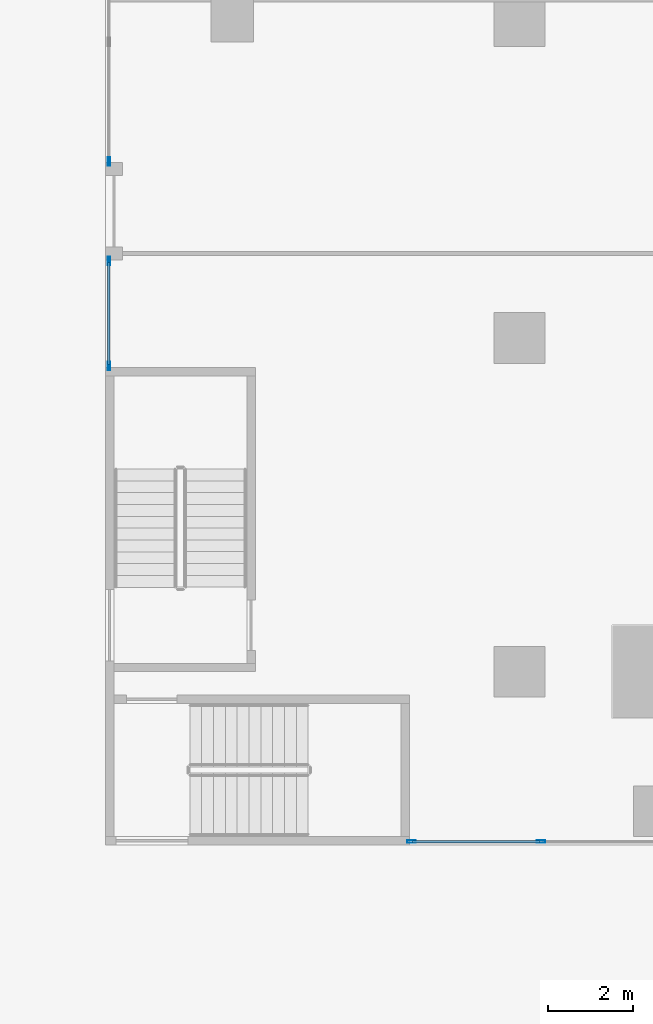
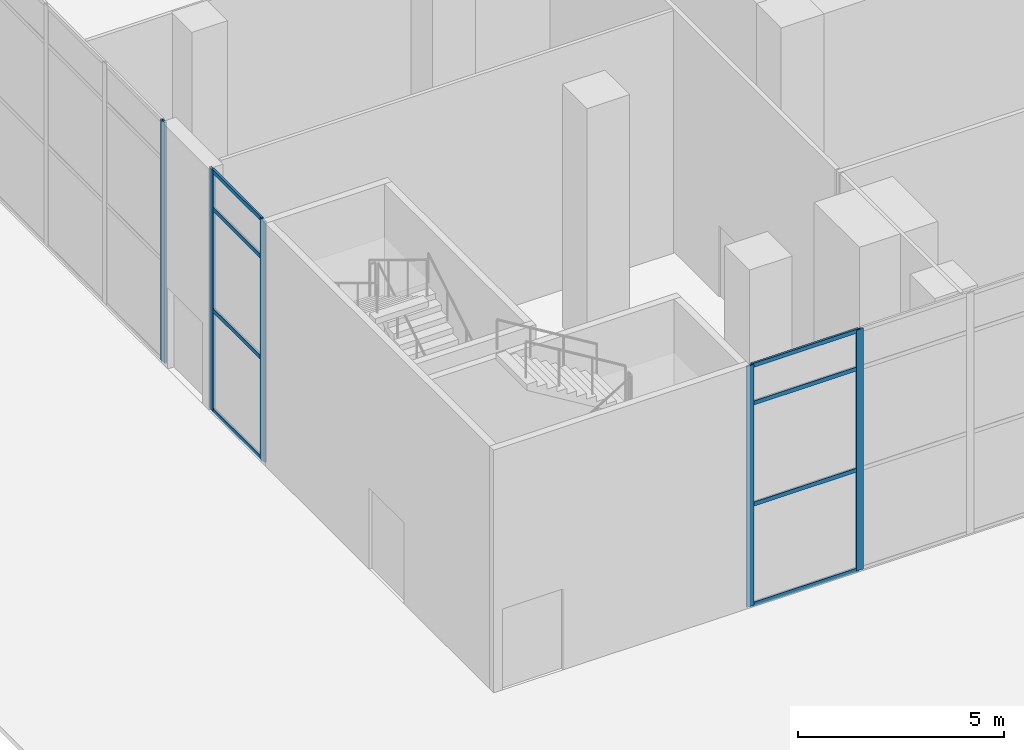
# One storey, part 2 of 52: 13 members, 3 elements without a shape of their own.
"""IFC4 building model written with IfcOpenShell, lengths in metres."""

from ifc_helpers import new_model, si_unit, direction, frame, origin, origin_2d, place, context, subcontext, project, spatial, hollow_rectangle, extrude, source, transform, mapped, material, material_profile, profile_set, type_object, element, aggregate, save


model = new_model("IFC4")

# Units and contexts
model_context = context("Model", 3, precision=1e-05, world=origin(), true_north=direction((0.0, 1.0)))
body_context = subcontext(model_context, "Body", "Model", "MODEL_VIEW")
ifc_project = project(units=[si_unit("LENGTHUNIT", "METRE"), si_unit("AREAUNIT", "SQUARE_METRE"), si_unit("VOLUMEUNIT", "CUBIC_METRE"), si_unit("PLANEANGLEUNIT", "RADIAN"), si_unit("MASSUNIT", "GRAM", prefix="KILO")], contexts=[model_context])

# Site, building, storey
site_placement = place(None, origin())
site = spatial("IfcSite", under=ifc_project, at=site_placement, CompositionType="ELEMENT")
building_placement = place(site_placement, origin())
building = spatial("IfcBuilding", under=site, at=building_placement, Name="Khomas Fold Tower", CompositionType="ELEMENT")
storey_placement = place(building_placement, origin())
storey = spatial("IfcBuildingStorey", under=building, at=storey_placement, Name="L00", CompositionType="ELEMENT", Elevation=0.0)

# Curtain wall, member
ifc_material_1 = material(Name="Aluminium framed double glazing", Category="aluminium")
curtain_wall_type = type_object("IfcCurtainWallType", Name="Shopfront glazing PD-CW", PredefinedType="NOTDEFINED", material=ifc_material_1)
curtain_wall_1_placement = place(storey_placement, origin())
curtain_wall_1 = element("IfcCurtainWall", 1, at=curtain_wall_1_placement, inside=storey, type_object=curtain_wall_type, Name="Podium shopfront run", PredefinedType="NOTDEFINED")
ifc_material_2 = material(Name="Aluminium", Category="aluminium")
ifc_material_profile_1 = material_profile(ifc_material_2, hollow_rectangle(XDim=0.06005859375, YDim=0.199951171875, WallThickness=0.00390625, at=origin_2d()), Name="Shopfront glazing mullion PD-CW-M")
ifc_profile_set_1 = profile_set([ifc_material_profile_1], Name="Aluminium")
member_type_1 = type_object("IfcMemberType", Name="Shopfront glazing mullion PD-CW-M", PredefinedType="MULLION", material=ifc_profile_set_1)
shared_shape_1 = source(origin(), body_context, "Body", "SweptSolid", [
    extrude(hollow_rectangle(XDim=0.06005859375, YDim=0.199951171875, WallThickness=0.00390625, at=origin_2d()), origin(), (0.0, 0.0, 1.0), 7.14990234375),
])
member_1_placement = place(storey_placement, frame((-8.919921875, 16.179931640625, 0.0), z_axis=(0.0, 0.0, 1.0), x_axis=(1.0, 0.0, 0.0)))
member_1 = element("IfcMember", 2, at=member_1_placement, type_object=member_type_1, Name="PD-CW mullion 4", PredefinedType="MULLION", context=body_context, shape_type="MappedRepresentation", body=[
    mapped(shared_shape_1, transform((0.0, 0.0, 0.0))),
])
aggregate(curtain_wall_1, [member_1])

# Curtain wall, members
curtain_wall_2_placement = place(storey_placement, origin())
curtain_wall_2 = element("IfcCurtainWall", 3, at=curtain_wall_2_placement, inside=storey, type_object=curtain_wall_type, Name="Podium shopfront run", PredefinedType="NOTDEFINED")
member_2_placement = place(storey_placement, frame((-8.919921875, 13.820068359375, 0.0), z_axis=(0.0, 0.0, 1.0), x_axis=(1.0, 0.0, 0.0)))
member_2 = element("IfcMember", 4, at=member_2_placement, type_object=member_type_1, Name="PD-CW mullion 1", PredefinedType="MULLION", context=body_context, shape_type="MappedRepresentation", body=[
    mapped(shared_shape_1, transform((0.0, 0.0, 0.0))),
])
member_3_placement = place(storey_placement, frame((-8.919921875, 11.340087890625, 0.0), z_axis=(0.0, 0.0, 1.0), x_axis=(1.0, 0.0, 0.0)))
member_3 = element("IfcMember", 5, at=member_3_placement, type_object=member_type_1, Name="PD-CW mullion 2", PredefinedType="MULLION", context=body_context, shape_type="MappedRepresentation", body=[
    mapped(shared_shape_1, transform((0.0, 0.0, 0.0))),
])

curtain_wall_3_placement = place(storey_placement, origin())
curtain_wall_3 = element("IfcCurtainWall", 6, at=curtain_wall_3_placement, inside=storey, type_object=curtain_wall_type, Name="Podium shopfront run", PredefinedType="NOTDEFINED")
member_4_placement = place(storey_placement, frame((-1.760009765625, 0.080078125, 0.0), z_axis=(0.0, 0.0, 1.0), x_axis=(0.0, 1.0, 0.0)))
member_4 = element("IfcMember", 7, at=member_4_placement, type_object=member_type_1, Name="PD-CW mullion 1", PredefinedType="MULLION", context=body_context, shape_type="MappedRepresentation", body=[
    mapped(shared_shape_1, transform((0.0, 0.0, 0.0))),
])
member_5_placement = place(storey_placement, frame((1.30810546875, 0.080078125, 0.0), z_axis=(0.0, 0.0, 1.0), x_axis=(0.0, 1.0, 0.0)))
member_5 = element("IfcMember", 8, at=member_5_placement, type_object=member_type_1, Name="PD-CW mullion 2", PredefinedType="MULLION", context=body_context, shape_type="MappedRepresentation", body=[
    mapped(shared_shape_1, transform((0.0, 0.0, 0.0))),
])

# Member
ifc_material_3 = material(Name="Aluminium", Category="aluminium")
ifc_material_profile_2 = material_profile(ifc_material_3, hollow_rectangle(XDim=0.06005859375, YDim=0.1201171875, WallThickness=0.00390625, at=origin_2d()), Name="Shopfront glazing transom PD-CW-T")
ifc_profile_set_2 = profile_set([ifc_material_profile_2], Name="Aluminium")
member_type_2 = type_object("IfcMemberType", Name="Shopfront glazing transom PD-CW-T", PredefinedType="USERDEFINED", material=ifc_profile_set_2)
shared_shape_2 = source(origin(), body_context, "Body", "SweptSolid", [
    extrude(hollow_rectangle(XDim=0.06005859375, YDim=0.1201171875, WallThickness=0.00390625, at=origin_2d()), origin(), (0.0, 0.0, 1.0), 2.419921875),
])
member_6_placement = place(storey_placement, frame((-8.919921875, 13.7900390625, 0.030029296875), z_axis=(0.0, -1.0, 0.0), x_axis=(1.0, 0.0, 0.0)))
member_6 = element("IfcMember", 9, at=member_6_placement, type_object=member_type_2, Name="PD-CW transom 1.1", ObjectType="TRANSOM", PredefinedType="USERDEFINED", context=body_context, shape_type="MappedRepresentation", body=[
    mapped(shared_shape_2, transform((0.0, 0.0, 0.0))),
])

member_7_placement = place(storey_placement, frame((-8.919921875, 13.7900390625, 3.0), z_axis=(0.0, -1.0, 0.0), x_axis=(1.0, 0.0, 0.0)))
member_7 = element("IfcMember", 10, at=member_7_placement, type_object=member_type_2, Name="PD-CW transom 1.2", ObjectType="TRANSOM", PredefinedType="USERDEFINED", context=body_context, shape_type="MappedRepresentation", body=[
    mapped(shared_shape_2, transform((0.0, 0.0, 0.0))),
])

member_8_placement = place(storey_placement, frame((-8.919921875, 13.7900390625, 6.0), z_axis=(0.0, -1.0, 0.0), x_axis=(1.0, 0.0, 0.0)))
member_8 = element("IfcMember", 11, at=member_8_placement, type_object=member_type_2, Name="PD-CW transom 1.3", ObjectType="TRANSOM", PredefinedType="USERDEFINED", context=body_context, shape_type="MappedRepresentation", body=[
    mapped(shared_shape_2, transform((0.0, 0.0, 0.0))),
])

member_9_placement = place(storey_placement, frame((-8.919921875, 13.7900390625, 7.1201171875), z_axis=(0.0, -1.0, 0.0), x_axis=(1.0, 0.0, 0.0)))
member_9 = element("IfcMember", 12, at=member_9_placement, type_object=member_type_2, Name="PD-CW transom 1.4", ObjectType="TRANSOM", PredefinedType="USERDEFINED", context=body_context, shape_type="MappedRepresentation", body=[
    mapped(shared_shape_2, transform((0.0, 0.0, 0.0))),
])

aggregate(curtain_wall_2, [member_2, member_3, member_6, member_7, member_8, member_9])

shared_shape_3 = source(origin(), body_context, "Body", "SweptSolid", [
    extrude(hollow_rectangle(XDim=0.06005859375, YDim=0.1201171875, WallThickness=0.00390625, at=origin_2d()), origin(), (0.0, 0.0, 1.0), 3.008056640625),
])
member_10_placement = place(storey_placement, frame((-1.72998046875, 0.080078125, 0.030029296875), z_axis=(1.0, 0.0, 0.0), x_axis=(0.0, 1.0, 0.0)))
member_10 = element("IfcMember", 13, at=member_10_placement, type_object=member_type_2, Name="PD-CW transom 1.1", ObjectType="TRANSOM", PredefinedType="USERDEFINED", context=body_context, shape_type="MappedRepresentation", body=[
    mapped(shared_shape_3, transform((0.0, 0.0, 0.0))),
])

member_11_placement = place(storey_placement, frame((-1.72998046875, 0.080078125, 3.0), z_axis=(1.0, 0.0, 0.0), x_axis=(0.0, 1.0, 0.0)))
member_11 = element("IfcMember", 14, at=member_11_placement, type_object=member_type_2, Name="PD-CW transom 1.2", ObjectType="TRANSOM", PredefinedType="USERDEFINED", context=body_context, shape_type="MappedRepresentation", body=[
    mapped(shared_shape_3, transform((0.0, 0.0, 0.0))),
])

member_12_placement = place(storey_placement, frame((-1.72998046875, 0.080078125, 6.0), z_axis=(1.0, 0.0, 0.0), x_axis=(0.0, 1.0, 0.0)))
member_12 = element("IfcMember", 15, at=member_12_placement, type_object=member_type_2, Name="PD-CW transom 1.3", ObjectType="TRANSOM", PredefinedType="USERDEFINED", context=body_context, shape_type="MappedRepresentation", body=[
    mapped(shared_shape_3, transform((0.0, 0.0, 0.0))),
])

member_13_placement = place(storey_placement, frame((-1.72998046875, 0.080078125, 7.1201171875), z_axis=(1.0, 0.0, 0.0), x_axis=(0.0, 1.0, 0.0)))
member_13 = element("IfcMember", 16, at=member_13_placement, type_object=member_type_2, Name="PD-CW transom 1.4", ObjectType="TRANSOM", PredefinedType="USERDEFINED", context=body_context, shape_type="MappedRepresentation", body=[
    mapped(shared_shape_3, transform((0.0, 0.0, 0.0))),
])

aggregate(curtain_wall_3, [member_4, member_5, member_10, member_11, member_12, member_13])

save(model, "model.ifc")
